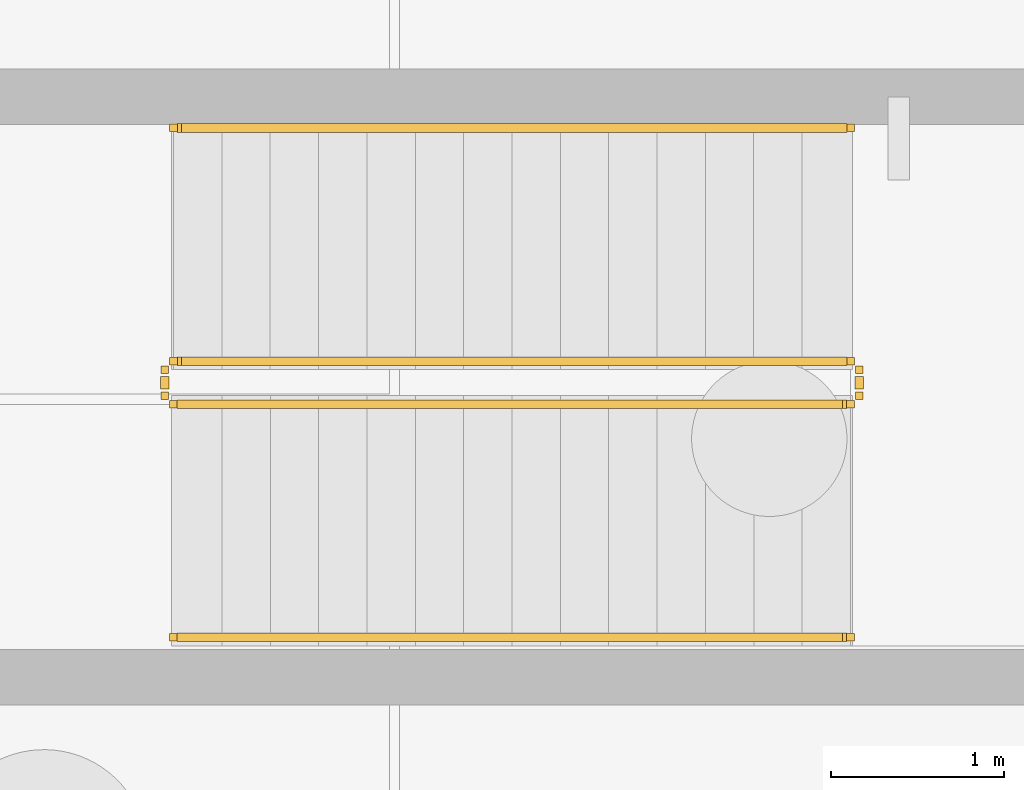
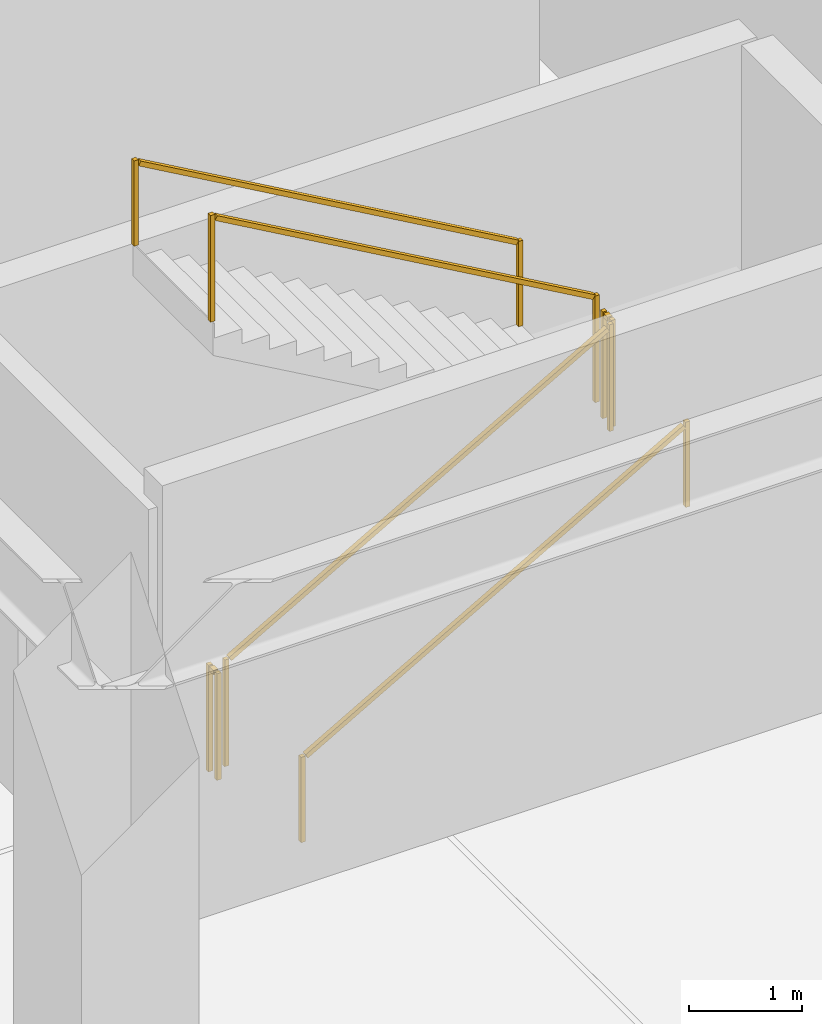
# One storey, part 13 of 14: 6 railings.
"""IFC4 building model written with IfcOpenShell, lengths in metres."""

from ifc_helpers import new_model, si_unit, direction, frame, origin, origin_2d, place, context, subcontext, project, spatial, rectangle, extrude, material, type_object, element, save


model = new_model("IFC4")

# Units and contexts
model_context = context("Model", 3, precision=1e-05, world=origin(), true_north=direction((0.0, 1.0)))
body_context = subcontext(model_context, "Body", "Model", "MODEL_VIEW")
ifc_project = project(units=[si_unit("LENGTHUNIT", "METRE"), si_unit("AREAUNIT", "SQUARE_METRE"), si_unit("VOLUMEUNIT", "CUBIC_METRE"), si_unit("PLANEANGLEUNIT", "RADIAN"), si_unit("MASSUNIT", "GRAM", prefix="KILO")], contexts=[model_context])

# Site, building, storey
site_placement = place(None, origin())
site = spatial("IfcSite", under=ifc_project, at=site_placement, CompositionType="ELEMENT")
building_placement = place(site_placement, origin())
building = spatial("IfcBuilding", under=site, at=building_placement, Name="Yunling Apex Tower", CompositionType="ELEMENT")
storey_placement = place(building_placement, frame((0.0, 0.0, -9.60009765625)))
storey = spatial("IfcBuildingStorey", under=building, at=storey_placement, Name="B02", CompositionType="ELEMENT", Elevation=-9.60009765625)

# Railings
ifc_material_1 = material(Name="Steel Q355B", Category="steel")
railing_type_1 = type_object("IfcRailingType", Name="RL-GRD-1150", PredefinedType="GUARDRAIL", material=ifc_material_1)
railing_1_placement = place(storey_placement, frame((25.35009765625, 17.0, 0.16015625)))
element("IfcRailing", 1, at=railing_1_placement, inside=storey, type_object=railing_type_1, Name="B02 ST-P2 stair guard 1", PredefinedType="GUARDRAIL", context=body_context, shape_type="SweptSolid", body=[
    extrude(rectangle(XDim=0.0439453125, YDim=0.0439453125, at=origin_2d()), origin(), (0.0, 0.0, 1.0), 1.14990234375),
    extrude(rectangle(XDim=0.0439453125, YDim=0.0439453125, at=origin_2d()), frame((3.919921875, 0.0, 2.239990234375)), (0.0, 0.0, 1.0), 1.14990234375),
    extrude(rectangle(XDim=0.050048828125, YDim=0.050048828125, at=origin_2d()), frame((0.033203125, 0.0, 1.143798828125), z_axis=(0.868239814368, 0.0, 0.496144761885), x_axis=(0.0, 1.0, 0.0)), (0.0, 0.0, 1.0), 4.438232421875),
])
railing_2_placement = place(storey_placement, frame((29.320068359375, 17.050048828125, 2.400146484375)))
element("IfcRailing", 2, at=railing_2_placement, inside=storey, type_object=railing_type_1, Name="B02 ST-P2 stair guard 2", PredefinedType="GUARDRAIL", context=body_context, shape_type="SweptSolid", body=[
    extrude(rectangle(XDim=0.0439453125, YDim=0.0439453125, at=origin_2d()), origin(), (0.0, 0.0, 1.0), 1.14990234375),
    extrude(rectangle(XDim=0.0439453125, YDim=0.0439453125, at=origin_2d()), frame((0.0, 0.14990234375, 0.0)), (0.0, 0.0, 1.0), 1.14990234375),
    extrude(rectangle(XDim=0.050048828125, YDim=0.050048828125, at=origin_2d()), frame((0.0, 0.038330078125, 1.125), z_axis=(0.0, 1.0, 0.0), x_axis=(-1.0, 0.0, 0.0)), (0.0, 0.0, 1.0), 0.0732421875),
])
railing_3_placement = place(storey_placement, frame((29.27001953125, 17.25, 2.56005859375)))
element("IfcRailing", 3, at=railing_3_placement, inside=storey, type_object=railing_type_1, Name="B02 ST-P2 stair guard 3", PredefinedType="GUARDRAIL", context=body_context, shape_type="SweptSolid", body=[
    extrude(rectangle(XDim=0.0439453125, YDim=0.0439453125, at=origin_2d()), origin(), (0.0, 0.0, 1.0), 1.14990234375),
    extrude(rectangle(XDim=0.0439453125, YDim=0.0439453125, at=origin_2d()), frame((-3.919921875, 0.0, 2.239990234375)), (0.0, 0.0, 1.0), 1.14990234375),
    extrude(rectangle(XDim=0.050048828125, YDim=0.050048828125, at=origin_2d()), frame((-0.033203125, 0.0, 1.143798828125), z_axis=(-0.868239814368, 0.0, 0.496144761885), x_axis=(0.0, -1.0, 0.0)), (0.0, 0.0, 1.0), 4.438232421875),
])
railing_4_placement = place(storey_placement, frame((25.300048828125, 17.050048828125, 0.0)))
element("IfcRailing", 4, at=railing_4_placement, inside=storey, type_object=railing_type_1, Name="B02 ST-P2 stair guard 4", PredefinedType="GUARDRAIL", context=body_context, shape_type="SweptSolid", body=[
    extrude(rectangle(XDim=0.0439453125, YDim=0.0439453125, at=origin_2d()), origin(), (0.0, 0.0, 1.0), 1.14990234375),
    extrude(rectangle(XDim=0.0439453125, YDim=0.0439453125, at=origin_2d()), frame((0.0, 0.14990234375, 0.0)), (0.0, 0.0, 1.0), 1.14990234375),
    extrude(rectangle(XDim=0.050048828125, YDim=0.050048828125, at=origin_2d()), frame((0.0, 0.038330078125, 1.125), z_axis=(0.0, 1.0, 0.0), x_axis=(-1.0, 0.0, 0.0)), (0.0, 0.0, 1.0), 0.0732421875),
])
ifc_material_2 = material(Name="Silver anodised aluminium", Category="aluminium")
railing_type_2 = type_object("IfcRailingType", Name="RL-HND-900", PredefinedType="HANDRAIL", material=ifc_material_2)
railing_5_placement = place(storey_placement, frame((25.35009765625, 15.64990234375, 0.16015625)))
element("IfcRailing", 5, at=railing_5_placement, inside=storey, type_object=railing_type_2, Name="B02 ST-P2 stair handrail 1", PredefinedType="HANDRAIL", context=body_context, shape_type="SweptSolid", body=[
    extrude(rectangle(XDim=0.0439453125, YDim=0.0439453125, at=origin_2d()), origin(), (0.0, 0.0, 1.0), 0.919921875),
    extrude(rectangle(XDim=0.0439453125, YDim=0.0439453125, at=origin_2d()), frame((3.919921875, 0.0, 2.239990234375)), (0.0, 0.0, 1.0), 0.919921875),
    extrude(rectangle(XDim=0.050048828125, YDim=0.050048828125, at=origin_2d()), frame((0.033203125, 0.0, 0.913818359375), z_axis=(0.868239814368, 0.0, 0.496144761885), x_axis=(0.0, 1.0, 0.0)), (0.0, 0.0, 1.0), 4.438232421875),
])
railing_6_placement = place(storey_placement, frame((29.27001953125, 18.60009765625, 2.56005859375)))
element("IfcRailing", 6, at=railing_6_placement, inside=storey, type_object=railing_type_2, Name="B02 ST-P2 stair handrail 2", PredefinedType="HANDRAIL", context=body_context, shape_type="SweptSolid", body=[
    extrude(rectangle(XDim=0.0439453125, YDim=0.0439453125, at=origin_2d()), origin(), (0.0, 0.0, 1.0), 0.919921875),
    extrude(rectangle(XDim=0.0439453125, YDim=0.0439453125, at=origin_2d()), frame((-3.919921875, 0.0, 2.239990234375)), (0.0, 0.0, 1.0), 0.919921875),
    extrude(rectangle(XDim=0.050048828125, YDim=0.050048828125, at=origin_2d()), frame((-0.033203125, 0.0, 0.913818359375), z_axis=(-0.868239814368, 0.0, 0.496144761885), x_axis=(0.0, -1.0, 0.0)), (0.0, 0.0, 1.0), 4.438232421875),
])

save(model, "model.ifc")
